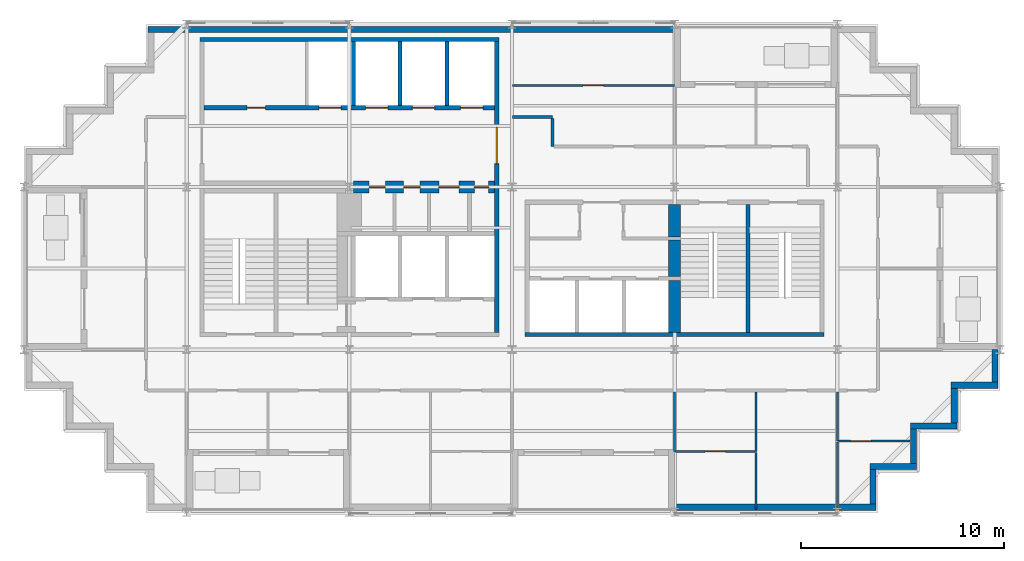
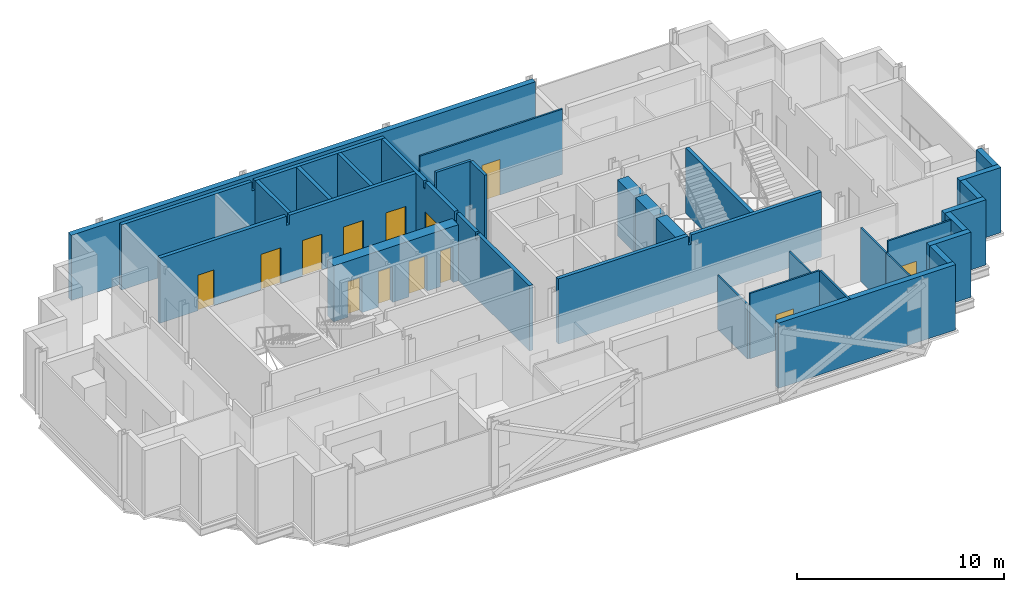
# One storey, part 6 of 10: 31 walls, 13 doors, 13 openings.
"""IFC4 building model written with IfcOpenShell, lengths in metres."""

from ifc_helpers import new_model, si_unit, direction, frame, frame_2d, origin, place, context, subcontext, project, spatial, polyline, rectangle, outline, extrude, material, layer, layer_set, type_object, element, fill, save


model = new_model("IFC4")

# Units and contexts
model_context = context("Model", 3, precision=1e-05, world=origin(), true_north=direction((0.0, 1.0)))
body_context = subcontext(model_context, "Body", "Model", "MODEL_VIEW")
ifc_project = project(units=[si_unit("LENGTHUNIT", "METRE"), si_unit("AREAUNIT", "SQUARE_METRE"), si_unit("VOLUMEUNIT", "CUBIC_METRE"), si_unit("PLANEANGLEUNIT", "RADIAN"), si_unit("MASSUNIT", "GRAM", prefix="KILO")], contexts=[model_context])

# Site, building, storey
site_placement = place(None, origin())
site = spatial("IfcSite", under=ifc_project, at=site_placement, CompositionType="ELEMENT")
building_placement = place(site_placement, origin())
building = spatial("IfcBuilding", under=site, at=building_placement, Name="Immortelle Media Tower", CompositionType="ELEMENT")
storey_placement = place(building_placement, frame((0.0, 0.0, 229.0)))
storey = spatial("IfcBuildingStorey", under=building, at=storey_placement, Name="L49", CompositionType="ELEMENT", Elevation=229.0)

# Wall, openings, doors
ifc_material_1 = material(Name="Fire-rated masonry blockwork", Category="masonry")
ifc_layer_1 = layer(ifc_material_1, 0.60009765625)
ifc_layer_set_1 = layer_set([ifc_layer_1], Name="Fire-rated masonry blockwork")
wall_type_1 = type_object("IfcWallType", Name="Core grid-line wall 600", PredefinedType="PARTITIONING", material=ifc_layer_set_1)
wall_1_placement = place(storey_placement, frame((16.196533203125, 16.0, 0.0), z_axis=(0.0, 0.0, 1.0), x_axis=(1.0, 0.0, 0.0)))
wall_1 = element("IfcWall", 1, at=wall_1_placement, inside=storey, type_object=wall_type_1, Name="Core grid-line wall SW", PredefinedType="PARTITIONING", context=body_context, shape_type="SweptSolid", body=[
    extrude(rectangle(XDim=6.953369140625, YDim=0.60009765625, at=frame_2d((3.4765625, 0.0))), origin(), (0.0, 0.0, 1.0), 3.30810546875),
])
opening_1_placement = place(wall_1_placement, frame((1.57861328125, 0.0, 0.0), z_axis=(0.0, 0.0, 1.0), x_axis=(-1.0, 0.0, 0.0)))
opening_1 = element("IfcOpeningElement", 2, at=opening_1_placement, cuts=wall_1, Name="Opening O5-K009", PredefinedType="OPENING", context=body_context, shape_type="SweptSolid", body=[
    extrude(rectangle(XDim=0.800048828125, YDim=2.10009765625, at=frame_2d((0.39990234375, 1.050048828125))), frame((0.0, 0.31005859375, 0.0), z_axis=(0.0, -1.0, 0.0), x_axis=(1.0, 0.0, 0.0)), (0.0, 0.0, 1.0), 0.6201171875),
])
opening_2_placement = place(wall_1_placement, frame((3.278564453125, 0.0, 0.0), z_axis=(0.0, 0.0, 1.0), x_axis=(-1.0, 0.0, 0.0)))
opening_2 = element("IfcOpeningElement", 3, at=opening_2_placement, cuts=wall_1, Name="Opening O5-K010", PredefinedType="OPENING", context=body_context, shape_type="SweptSolid", body=[
    extrude(rectangle(XDim=0.800048828125, YDim=2.10009765625, at=frame_2d((0.39990234375, 1.050048828125))), frame((0.0, 0.31005859375, 0.0), z_axis=(0.0, -1.0, 0.0), x_axis=(1.0, 0.0, 0.0)), (0.0, 0.0, 1.0), 0.6201171875),
])
opening_3_placement = place(wall_1_placement, frame((5.20361328125, 0.0, 0.0), z_axis=(0.0, 0.0, 1.0), x_axis=(-1.0, 0.0, 0.0)))
opening_3 = element("IfcOpeningElement", 4, at=opening_3_placement, cuts=wall_1, Name="Opening O5-K014", PredefinedType="OPENING", context=body_context, shape_type="SweptSolid", body=[
    extrude(rectangle(XDim=1.0, YDim=2.10009765625, at=frame_2d((0.5, 1.050048828125))), frame((0.0, 0.31005859375, 0.0), z_axis=(0.0, -1.0, 0.0), x_axis=(1.0, 0.0, 0.0)), (0.0, 0.0, 1.0), 0.6201171875),
])
opening_4_placement = place(wall_1_placement, frame((6.653564453125, 0.0, 0.0), z_axis=(0.0, 0.0, 1.0), x_axis=(-1.0, 0.0, 0.0)))
opening_4 = element("IfcOpeningElement", 5, at=opening_4_placement, cuts=wall_1, Name="Opening O5-K017", PredefinedType="OPENING", context=body_context, shape_type="SweptSolid", body=[
    extrude(rectangle(XDim=0.699951171875, YDim=2.10009765625, at=frame_2d((0.35009765625, 1.050048828125))), frame((0.0, 0.31005859375, 0.0), z_axis=(0.0, -1.0, 0.0), x_axis=(1.0, 0.0, 0.0)), (0.0, 0.0, 1.0), 0.6201171875),
])
ifc_material_2 = material(Name="Timber", Category="wood")
door_type_1 = type_object("IfcDoorType", Name="Accessible toilet door 1000 x 2100", OperationType="NOTDEFINED", PredefinedType="NOTDEFINED", material=ifc_material_2)
door_1_placement = place(opening_3_placement, origin())
door_1 = element("IfcDoor", 6, at=door_1_placement, inside=storey, type_object=door_type_1, Name="Accessible toilet O5-K014", OperationType="SINGLE_SWING_RIGHT", OverallHeight=2.10009765625, OverallWidth=1.0, PredefinedType="NOTDEFINED", context=body_context, shape_type="SweptSolid", body=[
    extrude(rectangle(XDim=1.0, YDim=2.10009765625, at=frame_2d((0.5, 1.050048828125))), frame((0.0, 0.02490234375, 0.0), z_axis=(0.0, -1.0, 0.0), x_axis=(1.0, 0.0, 0.0)), (0.0, 0.0, 1.0), 0.050048828125),
])
fill(opening_3, door_1)
ifc_material_3 = material(Name="Galvanised steel door leaf and frame ASTM A653", Category="steel")
door_type_2 = type_object("IfcDoorType", Name="Service door 700 x 2100", OperationType="NOTDEFINED", PredefinedType="NOTDEFINED", material=ifc_material_3)
door_2_placement = place(opening_4_placement, origin())
door_2 = element("IfcDoor", 7, at=door_2_placement, inside=storey, type_object=door_type_2, Name="Service O5-K017", OperationType="SINGLE_SWING_LEFT", OverallHeight=2.10009765625, OverallWidth=0.699951171875, PredefinedType="NOTDEFINED", context=body_context, shape_type="SweptSolid", body=[
    extrude(rectangle(XDim=0.699951171875, YDim=2.10009765625, at=frame_2d((0.35009765625, 1.050048828125))), frame((0.0, 0.02490234375, 0.0), z_axis=(0.0, -1.0, 0.0), x_axis=(1.0, 0.0, 0.0)), (0.0, 0.0, 1.0), 0.050048828125),
])
fill(opening_4, door_2)
door_type_3 = type_object("IfcDoorType", Name="Toilet door 800 x 2100", OperationType="NOTDEFINED", PredefinedType="NOTDEFINED", material=ifc_material_2)
door_3_placement = place(opening_1_placement, origin())
door_3 = element("IfcDoor", 8, at=door_3_placement, inside=storey, type_object=door_type_3, Name="Toilet O5-K009", OperationType="SINGLE_SWING_LEFT", OverallHeight=2.10009765625, OverallWidth=0.800048828125, PredefinedType="NOTDEFINED", context=body_context, shape_type="SweptSolid", body=[
    extrude(rectangle(XDim=0.800048828125, YDim=2.10009765625, at=frame_2d((0.39990234375, 1.050048828125))), frame((0.0, 0.02490234375, 0.0), z_axis=(0.0, -1.0, 0.0), x_axis=(1.0, 0.0, 0.0)), (0.0, 0.0, 1.0), 0.050048828125),
])
fill(opening_1, door_3)
door_4_placement = place(opening_2_placement, origin())
door_4 = element("IfcDoor", 9, at=door_4_placement, inside=storey, type_object=door_type_3, Name="Toilet O5-K010", OperationType="SINGLE_SWING_RIGHT", OverallHeight=2.10009765625, OverallWidth=0.800048828125, PredefinedType="NOTDEFINED", context=body_context, shape_type="SweptSolid", body=[
    extrude(rectangle(XDim=0.800048828125, YDim=2.10009765625, at=frame_2d((0.39990234375, 1.050048828125))), frame((0.0, 0.02490234375, 0.0), z_axis=(0.0, -1.0, 0.0), x_axis=(1.0, 0.0, 0.0)), (0.0, 0.0, 1.0), 0.050048828125),
])
fill(opening_2, door_4)

# Wall
ifc_material_4 = material(Name="Fire-rated gypsum board", Category="gypsum")
ifc_layer_2 = layer(ifc_material_4, 0.03759765625)
ifc_material_5 = material(Name="Steel ASTM A653 SS Gr 50 stud frame with mineral wool", Category="steel")
ifc_layer_3 = layer(ifc_material_5, 0.125)
ifc_layer_4 = layer(ifc_material_4, 0.03759765625)
ifc_layer_set_2 = layer_set([ifc_layer_2, ifc_layer_3, ifc_layer_4], Name="Steel ASTM A653 SS Gr 50 stud frame with mineral wool")
wall_type_2 = type_object("IfcWallType", Name="Core shaft wall 200", PredefinedType="PARTITIONING", material=ifc_layer_set_2)
wall_2_placement = place(storey_placement, frame((8.64990234375, 23.25, 0.0), z_axis=(0.0, 0.0, 1.0), x_axis=(1.0, 0.0, 0.0)))
element("IfcWall", 10, at=wall_2_placement, inside=storey, type_object=wall_type_2, Name="Core shaft wall SW", PredefinedType="PARTITIONING", context=body_context, shape_type="SweptSolid", body=[
    extrude(outline(polyline([(0.0, 0.0), (14.7001953125, 0.0), (14.699951171875, 3.85009765625), (7.4384765625, 3.85009765625), (7.4375, 3.30810546875), (7.262451171875, 3.30810546875), (7.261474609375, 3.85009765625), (0.0, 3.85009765625), (0.0, 0.0)])), frame((0.0, 0.10009765625, 0.0), z_axis=(0.0, -1.0, 0.0), x_axis=(1.0, 0.0, 0.0)), (0.0, 0.0, 1.0), 0.199951171875),
])

# Wall, openings, doors
wall_3_placement = place(storey_placement, frame((8.85009765625, 19.89990234375, 0.0), z_axis=(0.0, 0.0, 1.0), x_axis=(1.0, 0.0, 0.0)))
wall_3 = element("IfcWall", 11, at=wall_3_placement, inside=storey, type_object=wall_type_2, Name="Core shaft wall SW", PredefinedType="PARTITIONING", context=body_context, shape_type="SweptSolid", body=[
    extrude(outline(polyline([(0.0, 0.0), (14.2998046875, 0.0), (14.300048828125, 3.85009765625), (7.238525390625, 3.85009765625), (7.237548828125, 3.30810546875), (7.0625, 3.30810546875), (7.0615234375, 3.85009765625), (0.0, 3.85009765625), (0.0, 0.0)])), frame((0.0, 0.10009765625, 0.0), z_axis=(0.0, -1.0, 0.0), x_axis=(1.0, 0.0, 0.0)), (0.0, 0.0, 1.0), 0.199951171875),
])
opening_5_placement = place(wall_3_placement, frame((2.125, 0.0, 0.0)))
opening_5 = element("IfcOpeningElement", 12, at=opening_5_placement, cuts=wall_3, Name="Opening O5-K003", PredefinedType="OPENING", context=body_context, shape_type="SweptSolid", body=[
    extrude(rectangle(XDim=0.89990234375, YDim=2.10009765625, at=frame_2d((0.449951171875, 1.050048828125))), frame((0.0, 0.10986328125, 0.0), z_axis=(0.0, -1.0, 0.0), x_axis=(1.0, 0.0, 0.0)), (0.0, 0.0, 1.0), 0.219970703125),
])
opening_6_placement = place(wall_3_placement, frame((5.64990234375, 0.0, 0.0)))
opening_6 = element("IfcOpeningElement", 13, at=opening_6_placement, cuts=wall_3, Name="Opening LD", PredefinedType="OPENING", context=body_context, shape_type="SweptSolid", body=[
    extrude(rectangle(XDim=1.10009765625, YDim=2.10009765625, at=frame_2d((0.550048828125, 1.050048828125))), frame((0.0, 0.10986328125, 0.0), z_axis=(0.0, -1.0, 0.0), x_axis=(1.0, 0.0, 0.0)), (0.0, 0.0, 1.0), 0.219970703125),
])
opening_7_placement = place(wall_3_placement, frame((7.949951171875, 0.0, 0.0)))
opening_7 = element("IfcOpeningElement", 14, at=opening_7_placement, cuts=wall_3, Name="Opening LD", PredefinedType="OPENING", context=body_context, shape_type="SweptSolid", body=[
    extrude(rectangle(XDim=1.10009765625, YDim=2.10009765625, at=frame_2d((0.550048828125, 1.050048828125))), frame((0.0, 0.10986328125, 0.0), z_axis=(0.0, -1.0, 0.0), x_axis=(1.0, 0.0, 0.0)), (0.0, 0.0, 1.0), 0.219970703125),
])
opening_8_placement = place(wall_3_placement, frame((10.25, 0.0, 0.0)))
opening_8 = element("IfcOpeningElement", 15, at=opening_8_placement, cuts=wall_3, Name="Opening LD", PredefinedType="OPENING", context=body_context, shape_type="SweptSolid", body=[
    extrude(rectangle(XDim=1.10009765625, YDim=2.10009765625, at=frame_2d((0.550048828125, 1.050048828125))), frame((0.0, 0.10986328125, 0.0), z_axis=(0.0, -1.0, 0.0), x_axis=(1.0, 0.0, 0.0)), (0.0, 0.0, 1.0), 0.219970703125),
])
opening_9_placement = place(wall_3_placement, frame((12.625, 0.0, 0.0)))
opening_9 = element("IfcOpeningElement", 16, at=opening_9_placement, cuts=wall_3, Name="Opening LD", PredefinedType="OPENING", context=body_context, shape_type="SweptSolid", body=[
    extrude(rectangle(XDim=1.10009765625, YDim=2.10009765625, at=frame_2d((0.550048828125, 1.050048828125))), frame((0.0, 0.10986328125, 0.0), z_axis=(0.0, -1.0, 0.0), x_axis=(1.0, 0.0, 0.0)), (0.0, 0.0, 1.0), 0.219970703125),
])
ifc_material_6 = material(Name="Stainless steel AISI 304", Category="steel")
door_type_4 = type_object("IfcDoorType", Name="Landing door 1100 x 2100", OperationType="SLIDING_TO_LEFT", PredefinedType="NOTDEFINED", material=ifc_material_6)
door_5_placement = place(opening_6_placement, origin())
door_5 = element("IfcDoor", 17, at=door_5_placement, inside=storey, type_object=door_type_4, Name="Landing door HR1 L49", OperationType="SLIDING_TO_LEFT", OverallHeight=2.10009765625, OverallWidth=1.10009765625, PredefinedType="NOTDEFINED", context=body_context, shape_type="SweptSolid", body=[
    extrude(rectangle(XDim=1.10009765625, YDim=2.10009765625, at=frame_2d((0.550048828125, 1.050048828125))), frame((0.0, 0.02490234375, 0.0), z_axis=(0.0, -1.0, 0.0), x_axis=(1.0, 0.0, 0.0)), (0.0, 0.0, 1.0), 0.050048828125),
])
fill(opening_6, door_5)
door_6_placement = place(opening_7_placement, origin())
door_6 = element("IfcDoor", 18, at=door_6_placement, inside=storey, type_object=door_type_4, Name="Landing door HR2 L49", OperationType="SLIDING_TO_LEFT", OverallHeight=2.10009765625, OverallWidth=1.10009765625, PredefinedType="NOTDEFINED", context=body_context, shape_type="SweptSolid", body=[
    extrude(rectangle(XDim=1.10009765625, YDim=2.10009765625, at=frame_2d((0.550048828125, 1.050048828125))), frame((0.0, 0.02490234375, 0.0), z_axis=(0.0, -1.0, 0.0), x_axis=(1.0, 0.0, 0.0)), (0.0, 0.0, 1.0), 0.050048828125),
])
fill(opening_7, door_6)
door_7_placement = place(opening_8_placement, origin())
door_7 = element("IfcDoor", 19, at=door_7_placement, inside=storey, type_object=door_type_4, Name="Landing door HR3 L49", OperationType="SLIDING_TO_LEFT", OverallHeight=2.10009765625, OverallWidth=1.10009765625, PredefinedType="NOTDEFINED", context=body_context, shape_type="SweptSolid", body=[
    extrude(rectangle(XDim=1.10009765625, YDim=2.10009765625, at=frame_2d((0.550048828125, 1.050048828125))), frame((0.0, 0.02490234375, 0.0), z_axis=(0.0, -1.0, 0.0), x_axis=(1.0, 0.0, 0.0)), (0.0, 0.0, 1.0), 0.050048828125),
])
fill(opening_8, door_7)
door_8_placement = place(opening_9_placement, origin())
door_8 = element("IfcDoor", 20, at=door_8_placement, inside=storey, type_object=door_type_4, Name="Landing door HR4 L49", OperationType="SLIDING_TO_LEFT", OverallHeight=2.10009765625, OverallWidth=1.10009765625, PredefinedType="NOTDEFINED", context=body_context, shape_type="SweptSolid", body=[
    extrude(rectangle(XDim=1.10009765625, YDim=2.10009765625, at=frame_2d((0.550048828125, 1.050048828125))), frame((0.0, 0.02490234375, 0.0), z_axis=(0.0, -1.0, 0.0), x_axis=(1.0, 0.0, 0.0)), (0.0, 0.0, 1.0), 0.050048828125),
])
fill(opening_9, door_8)
door_type_5 = type_object("IfcDoorType", Name="Room door 900 x 2100", OperationType="NOTDEFINED", PredefinedType="NOTDEFINED", material=ifc_material_2)
door_9_placement = place(opening_5_placement, origin())
door_9 = element("IfcDoor", 21, at=door_9_placement, inside=storey, type_object=door_type_5, Name="Room O5-K003", OperationType="SINGLE_SWING_LEFT", OverallHeight=2.10009765625, OverallWidth=0.89990234375, PredefinedType="NOTDEFINED", context=body_context, shape_type="SweptSolid", body=[
    extrude(rectangle(XDim=0.89990234375, YDim=2.10009765625, at=frame_2d((0.449951171875, 1.050048828125))), frame((0.0, 0.02490234375, 0.0), z_axis=(0.0, -1.0, 0.0), x_axis=(1.0, 0.0, 0.0)), (0.0, 0.0, 1.0), 0.050048828125),
])
fill(opening_5, door_9)

# Walls
for number, where, z_axis, x_axis, name in (
    (22, (16.199951171875, 20.0, 0.0), (0.0, 0.0, 1.0), (0.0, 1.0, 0.0), "Core shaft wall SW"),
    (23, (18.5, 20.0, 0.0), (0.0, 0.0, 1.0), (0.0, 1.0, 0.0), "Core shaft wall SW"),
    (24, (20.800048828125, 20.0, 0.0), (0.0, 0.0, 1.0), (0.0, 1.0, 0.0), "Core shaft wall SW"),
):
    element("IfcWall", number, at=place(storey_placement, frame(where, z_axis=z_axis, x_axis=x_axis)), inside=storey, type_object=wall_type_2, Name=name, PredefinedType="PARTITIONING", context=body_context, shape_type="SweptSolid", body=[
        extrude(rectangle(XDim=3.14990234375, YDim=0.199951171875, at=frame_2d((1.574951171875, 0.0))), origin(), (0.0, 0.0, 1.0), 3.85009765625),
    ])

# Wall, opening, door
wall_4_placement = place(storey_placement, frame((23.25, 8.85009765625, 0.0), z_axis=(0.0, 0.0, 1.0), x_axis=(0.0, 1.0, 0.0)))
wall_4 = element("IfcWall", 25, at=wall_4_placement, inside=storey, type_object=wall_type_2, Name="Core shaft wall SW", PredefinedType="PARTITIONING", context=body_context, shape_type="SweptSolid", body=[
    extrude(outline(polyline([(0.0, 0.0), (14.2998046875, 0.0), (14.300048828125, 3.85009765625), (10.22509765625, 3.85009765625), (10.22412109375, 3.43994140625), (10.075927734375, 3.43994140625), (10.074951171875, 3.85009765625), (7.238525390625, 3.85009765625), (7.237548828125, 3.30810546875), (7.0625, 3.30810546875), (7.0615234375, 3.85009765625), (5.22509765625, 3.85009765625), (5.22412109375, 3.43994140625), (5.075927734375, 3.43994140625), (5.074951171875, 3.85009765625), (0.0, 3.85009765625), (0.0, 0.0)])), frame((0.0, 0.10009765625, 0.0), z_axis=(0.0, -1.0, 0.0), x_axis=(1.0, 0.0, 0.0)), (0.0, 0.0, 1.0), 0.199951171875),
])
opening_10_placement = place(wall_4_placement, frame((8.300048828125, 0.0, 0.0)))
opening_10 = element("IfcOpeningElement", 26, at=opening_10_placement, cuts=wall_4, Name="Opening O5-K018", PredefinedType="OPENING", context=body_context, shape_type="SweptSolid", body=[
    extrude(rectangle(XDim=1.800048828125, YDim=2.10009765625, at=frame_2d((0.89990234375, 1.050048828125))), frame((0.0, 0.10986328125, 0.0), z_axis=(0.0, -1.0, 0.0), x_axis=(1.0, 0.0, 0.0)), (0.0, 0.0, 1.0), 0.219970703125),
])
door_type_6 = type_object("IfcDoorType", Name="Lift lobby door 1800 x 2100", OperationType="DOUBLE_DOOR_SINGLE_SWING", PredefinedType="NOTDEFINED", material=ifc_material_3)
door_10_placement = place(opening_10_placement, origin())
door_10 = element("IfcDoor", 27, at=door_10_placement, inside=storey, type_object=door_type_6, Name="Lift lobby O5-K018", OperationType="DOUBLE_DOOR_SINGLE_SWING", OverallHeight=2.10009765625, OverallWidth=1.800048828125, PredefinedType="NOTDEFINED", context=body_context, shape_type="SweptSolid", body=[
    extrude(rectangle(XDim=1.800048828125, YDim=2.10009765625, at=frame_2d((0.89990234375, 1.050048828125))), frame((0.0, 0.02490234375, 0.0), z_axis=(0.0, -1.0, 0.0), x_axis=(1.0, 0.0, 0.0)), (0.0, 0.0, 1.0), 0.050048828125),
])
fill(opening_10, door_10)

# Walls
ifc_layer_5 = layer(ifc_material_4, 0.012451171875)
ifc_layer_6 = layer(ifc_material_5, 0.125)
ifc_layer_7 = layer(ifc_material_4, 0.012451171875)
ifc_layer_set_3 = layer_set([ifc_layer_5, ifc_layer_6, ifc_layer_7], Name="Steel ASTM A653 SS Gr 50 stud frame with mineral wool")
wall_type_3 = type_object("IfcWallType", Name="Corridor wall 150", PredefinedType="PARTITIONING", material=ifc_layer_set_3)
wall_5_placement = place(storey_placement, frame((26.0, 18.0, 0.0), z_axis=(0.0, 0.0, 1.0), x_axis=(0.0, 1.0, 0.0)))
element("IfcWall", 28, at=wall_5_placement, inside=storey, type_object=wall_type_3, Name="Partition L49-026", PredefinedType="PARTITIONING", context=body_context, shape_type="SweptSolid", body=[
    extrude(rectangle(XDim=1.375, YDim=0.14990234375, at=frame_2d((0.6875, 0.0))), origin(), (0.0, 0.0, 1.0), 3.85009765625),
])
wall_6_placement = place(storey_placement, frame((24.030029296875, 19.449951171875, 0.0), z_axis=(0.0, 0.0, 1.0), x_axis=(1.0, 0.0, 0.0)))
element("IfcWall", 29, at=wall_6_placement, inside=storey, type_object=wall_type_3, Name="Partition L49-032", PredefinedType="PARTITIONING", context=body_context, shape_type="SweptSolid", body=[
    extrude(rectangle(XDim=1.969970703125, YDim=0.14990234375, at=frame_2d((0.98486328125, 0.0))), origin(), (0.0, 0.0, 1.0), 3.85009765625),
])
ifc_material_7 = material(Name="Pale aluminium cladding panel", Category="aluminium")
ifc_layer_8 = layer(ifc_material_7, 0.030029296875)
ifc_layer_9 = layer(ifc_material_5, 0.257568359375)
ifc_material_8 = material(Name="Moisture-resistant gypsum board", Category="gypsum")
ifc_layer_10 = layer(ifc_material_8, 0.012451171875)
ifc_layer_set_4 = layer_set([ifc_layer_8, ifc_layer_9, ifc_layer_10], Name="Steel ASTM A653 SS Gr 50 stud frame with mineral wool")
wall_type_4 = type_object("IfcWallType", Name="Facade wall 300", PredefinedType="SOLIDWALL", material=ifc_layer_set_4)
wall_7_placement = place(storey_placement, frame((32.0, 0.25, 0.0), z_axis=(0.0, 0.0, 1.0), x_axis=(1.0, 0.0, 0.0)))
element("IfcWall", 30, at=wall_7_placement, inside=storey, type_object=wall_type_4, Name="Facade wall L49 S6", PredefinedType="SOLIDWALL", context=body_context, shape_type="SweptSolid", body=[
    extrude(rectangle(XDim=9.89990234375, YDim=0.300048828125, at=frame_2d((4.949951171875, 0.0))), origin(), (0.0, 0.0, 1.0), 3.85009765625),
])
wall_8_placement = place(storey_placement, frame((41.75, 0.39990234375, 0.0), z_axis=(0.0, 0.0, 1.0), x_axis=(0.0, 1.0, 0.0)))
element("IfcWall", 31, at=wall_8_placement, inside=storey, type_object=wall_type_4, Name="Facade wall L49 E7", PredefinedType="SOLIDWALL", context=body_context, shape_type="SweptSolid", body=[
    extrude(rectangle(XDim=1.7001953125, YDim=0.300048828125, at=frame_2d((0.85009765625, 0.0))), origin(), (0.0, 0.0, 1.0), 3.85009765625),
])
wall_9_placement = place(storey_placement, frame((41.60009765625, 2.25, 0.0), z_axis=(0.0, 0.0, 1.0), x_axis=(1.0, 0.0, 0.0)))
element("IfcWall", 32, at=wall_9_placement, inside=storey, type_object=wall_type_4, Name="Facade wall L49 S8", PredefinedType="SOLIDWALL", context=body_context, shape_type="SweptSolid", body=[
    extrude(rectangle(XDim=2.2998046875, YDim=0.300048828125, at=frame_2d((1.14990234375, 0.0))), origin(), (0.0, 0.0, 1.0), 3.85009765625),
])
wall_10_placement = place(storey_placement, frame((43.75, 2.39990234375, 0.0), z_axis=(0.0, 0.0, 1.0), x_axis=(0.0, 1.0, 0.0)))
element("IfcWall", 33, at=wall_10_placement, inside=storey, type_object=wall_type_4, Name="Facade wall L49 E9", PredefinedType="SOLIDWALL", context=body_context, shape_type="SweptSolid", body=[
    extrude(rectangle(XDim=1.7001953125, YDim=0.300048828125, at=frame_2d((0.85009765625, 0.0))), origin(), (0.0, 0.0, 1.0), 3.85009765625),
])
wall_11_placement = place(storey_placement, frame((43.60009765625, 4.25, 0.0), z_axis=(0.0, 0.0, 1.0), x_axis=(1.0, 0.0, 0.0)))
element("IfcWall", 34, at=wall_11_placement, inside=storey, type_object=wall_type_4, Name="Facade wall L49 S10", PredefinedType="SOLIDWALL", context=body_context, shape_type="SweptSolid", body=[
    extrude(rectangle(XDim=2.2998046875, YDim=0.300048828125, at=frame_2d((1.14990234375, 0.0))), origin(), (0.0, 0.0, 1.0), 3.85009765625),
])
wall_12_placement = place(storey_placement, frame((45.75, 4.39990234375, 0.0), z_axis=(0.0, 0.0, 1.0), x_axis=(0.0, 1.0, 0.0)))
element("IfcWall", 35, at=wall_12_placement, inside=storey, type_object=wall_type_4, Name="Facade wall L49 E11", PredefinedType="SOLIDWALL", context=body_context, shape_type="SweptSolid", body=[
    extrude(rectangle(XDim=1.7001953125, YDim=0.300048828125, at=frame_2d((0.85009765625, 0.0))), origin(), (0.0, 0.0, 1.0), 3.85009765625),
])
wall_13_placement = place(storey_placement, frame((45.60009765625, 6.25, 0.0), z_axis=(0.0, 0.0, 1.0), x_axis=(1.0, 0.0, 0.0)))
element("IfcWall", 36, at=wall_13_placement, inside=storey, type_object=wall_type_4, Name="Facade wall L49 S12", PredefinedType="SOLIDWALL", context=body_context, shape_type="SweptSolid", body=[
    extrude(rectangle(XDim=2.2998046875, YDim=0.300048828125, at=frame_2d((1.14990234375, 0.0))), origin(), (0.0, 0.0, 1.0), 3.85009765625),
])
wall_14_placement = place(storey_placement, frame((47.75, 6.39990234375, 0.0), z_axis=(0.0, 0.0, 1.0), x_axis=(0.0, 1.0, 0.0)))
element("IfcWall", 37, at=wall_14_placement, inside=storey, type_object=wall_type_4, Name="Facade wall L49 E13", PredefinedType="SOLIDWALL", context=body_context, shape_type="SweptSolid", body=[
    extrude(rectangle(XDim=1.60009765625, YDim=0.300048828125, at=frame_2d((0.800048828125, 0.0))), origin(), (0.0, 0.0, 1.0), 3.85009765625),
])
wall_15_placement = place(storey_placement, frame((32.0, 23.75, 0.0), z_axis=(0.0, 0.0, 1.0), x_axis=(-1.0, 0.0, 0.0)))
element("IfcWall", 38, at=wall_15_placement, inside=storey, type_object=wall_type_4, Name="Facade wall L49 N20", PredefinedType="SOLIDWALL", context=body_context, shape_type="SweptSolid", body=[
    extrude(rectangle(XDim=25.89990234375, YDim=0.300048828125, at=frame_2d((12.949951171875, 0.0))), origin(), (0.0, 0.0, 1.0), 3.85009765625),
])
ifc_material_9 = material(Name="Gypsum board", Category="gypsum")
ifc_layer_11 = layer(ifc_material_9, 0.012451171875)
ifc_layer_12 = layer(ifc_material_5, 0.074951171875)
ifc_layer_13 = layer(ifc_material_9, 0.012451171875)
ifc_layer_set_5 = layer_set([ifc_layer_11, ifc_layer_12, ifc_layer_13], Name="Steel ASTM A653 SS Gr 50 stud frame with mineral wool")
wall_type_5 = type_object("IfcWallType", Name="Partition 100", PredefinedType="PARTITIONING", material=ifc_layer_set_5)
wall_16_placement = place(storey_placement, frame((36.0, 0.1298828125, 0.0), z_axis=(0.0, 0.0, 1.0), x_axis=(0.0, 1.0, 0.0)))
element("IfcWall", 39, at=wall_16_placement, inside=storey, type_object=wall_type_5, Name="Partition L49-002", PredefinedType="PARTITIONING", context=body_context, shape_type="SweptSolid", body=[
    extrude(rectangle(XDim=2.820068359375, YDim=0.10009765625, at=frame_2d((1.41015625, 0.0))), origin(), (0.0, 0.0, 1.0), 3.85009765625),
])
wall_17_placement = place(storey_placement, frame((40.0, 0.1298828125, 0.0), z_axis=(0.0, 0.0, 1.0), x_axis=(0.0, 1.0, 0.0)))
element("IfcWall", 40, at=wall_17_placement, inside=storey, type_object=wall_type_5, Name="Partition L49-003", PredefinedType="PARTITIONING", context=body_context, shape_type="SweptSolid", body=[
    extrude(rectangle(XDim=3.320068359375, YDim=0.10009765625, at=frame_2d((1.66015625, 0.0))), origin(), (0.0, 0.0, 1.0), 3.172119140625),
])

# Wall, opening, door
wall_18_placement = place(storey_placement, frame((32.050048828125, 3.0, 0.0), z_axis=(0.0, 0.0, 1.0), x_axis=(1.0, 0.0, 0.0)))
wall_18 = element("IfcWall", 41, at=wall_18_placement, inside=storey, type_object=wall_type_5, Name="Partition L49-010", PredefinedType="PARTITIONING", context=body_context, shape_type="SweptSolid", body=[
    extrude(rectangle(XDim=3.89990234375, YDim=0.10009765625, at=frame_2d((1.949951171875, 0.0))), origin(), (0.0, 0.0, 1.0), 3.85009765625),
])
opening_11_placement = place(wall_18_placement, frame((2.449951171875, 0.0, 0.0), z_axis=(0.0, 0.0, 1.0), x_axis=(-1.0, 0.0, 0.0)))
opening_11 = element("IfcOpeningElement", 42, at=opening_11_placement, cuts=wall_18, Name="Opening O5-F005", PredefinedType="OPENING", context=body_context, shape_type="SweptSolid", body=[
    extrude(rectangle(XDim=1.0, YDim=2.10009765625, at=frame_2d((0.5, 1.050048828125))), frame((0.0, 0.06005859375, 0.0), z_axis=(0.0, -1.0, 0.0), x_axis=(1.0, 0.0, 0.0)), (0.0, 0.0, 1.0), 0.1201171875),
])
ifc_material_10 = material(Name="Timber veneered door leaf, galvanised steel frame ASTM A653", Category="steel")
door_type_7 = type_object("IfcDoorType", Name="Room door 1000 x 2100", OperationType="NOTDEFINED", PredefinedType="DOOR", material=ifc_material_10)
door_11_placement = place(opening_11_placement, origin())
door_11 = element("IfcDoor", 43, at=door_11_placement, inside=storey, type_object=door_type_7, Name="Door O5-F005", OperationType="SINGLE_SWING_RIGHT", OverallHeight=2.10009765625, OverallWidth=1.0, PredefinedType="DOOR", context=body_context, shape_type="SweptSolid", body=[
    extrude(rectangle(XDim=1.0, YDim=2.10009765625, at=frame_2d((0.5, 1.050048828125))), frame((0.0, 0.02490234375, 0.0), z_axis=(0.0, -1.0, 0.0), x_axis=(1.0, 0.0, 0.0)), (0.0, 0.0, 1.0), 0.050048828125),
])
fill(opening_11, door_11)

# Walls
for number, where, z_axis, x_axis, name in (
    (44, (32.0, 3.0, 0.0), (0.0, 0.0, 1.0), (0.0, 1.0, 0.0), "Partition L49-011"),
    (45, (36.0, 3.0, 0.0), (0.0, 0.0, 1.0), (0.0, 1.0, 0.0), "Partition L49-012"),
):
    element("IfcWall", number, at=place(storey_placement, frame(where, z_axis=z_axis, x_axis=x_axis)), inside=storey, type_object=wall_type_5, Name=name, PredefinedType="PARTITIONING", context=body_context, shape_type="SweptSolid", body=[
        extrude(rectangle(XDim=2.925048828125, YDim=0.10009765625, at=frame_2d((1.46240234375, 0.0))), origin(), (0.0, 0.0, 1.0), 3.172119140625),
    ])

# Wall, opening, door
wall_19_placement = place(storey_placement, frame((40.050048828125, 3.5, 0.0), z_axis=(0.0, 0.0, 1.0), x_axis=(1.0, 0.0, 0.0)))
wall_19 = element("IfcWall", 46, at=wall_19_placement, inside=storey, type_object=wall_type_5, Name="Partition L49-013", PredefinedType="PARTITIONING", context=body_context, shape_type="SweptSolid", body=[
    extrude(rectangle(XDim=3.52001953125, YDim=0.10009765625, at=frame_2d((1.760009765625, 0.0))), origin(), (0.0, 0.0, 1.0), 3.85009765625),
])
opening_12_placement = place(wall_19_placement, frame((1.60009765625, 0.0, 0.0), z_axis=(0.0, 0.0, 1.0), x_axis=(-1.0, 0.0, 0.0)))
opening_12 = element("IfcOpeningElement", 47, at=opening_12_placement, cuts=wall_19, Name="Opening O5-F012", PredefinedType="OPENING", context=body_context, shape_type="SweptSolid", body=[
    extrude(rectangle(XDim=1.0, YDim=2.10009765625, at=frame_2d((0.5, 1.050048828125))), frame((0.0, 0.06005859375, 0.0), z_axis=(0.0, -1.0, 0.0), x_axis=(1.0, 0.0, 0.0)), (0.0, 0.0, 1.0), 0.1201171875),
])
door_12_placement = place(opening_12_placement, origin())
door_12 = element("IfcDoor", 48, at=door_12_placement, inside=storey, type_object=door_type_7, Name="Door O5-F012", OperationType="SINGLE_SWING_RIGHT", OverallHeight=2.10009765625, OverallWidth=1.0, PredefinedType="DOOR", context=body_context, shape_type="SweptSolid", body=[
    extrude(rectangle(XDim=1.0, YDim=2.10009765625, at=frame_2d((0.5, 1.050048828125))), frame((0.0, 0.02490234375, 0.0), z_axis=(0.0, -1.0, 0.0), x_axis=(1.0, 0.0, 0.0)), (0.0, 0.0, 1.0), 0.050048828125),
])
fill(opening_12, door_12)

# Wall
wall_20_placement = place(storey_placement, frame((40.0, 3.5, 0.0), z_axis=(0.0, 0.0, 1.0), x_axis=(0.0, 1.0, 0.0)))
element("IfcWall", 49, at=wall_20_placement, inside=storey, type_object=wall_type_5, Name="Partition L49-014", PredefinedType="PARTITIONING", context=body_context, shape_type="SweptSolid", body=[
    extrude(rectangle(XDim=2.425048828125, YDim=0.10009765625, at=frame_2d((1.21240234375, 0.0))), origin(), (0.0, 0.0, 1.0), 3.172119140625),
])

# Wall, opening, door
wall_21_placement = place(storey_placement, frame((24.030029296875, 21.0, 0.0), z_axis=(0.0, 0.0, 1.0), x_axis=(1.0, 0.0, 0.0)))
wall_21 = element("IfcWall", 50, at=wall_21_placement, inside=storey, type_object=wall_type_5, Name="Partition L49-035", PredefinedType="PARTITIONING", context=body_context, shape_type="SweptSolid", body=[
    extrude(rectangle(XDim=7.969970703125, YDim=0.10009765625, at=frame_2d((3.98486328125, 0.0))), origin(), (0.0, 0.0, 1.0), 3.85009765625),
])
opening_13_placement = place(wall_21_placement, frame((3.469970703125, 0.0, 0.0)))
opening_13 = element("IfcOpeningElement", 51, at=opening_13_placement, cuts=wall_21, Name="Opening O5-F022", PredefinedType="OPENING", context=body_context, shape_type="SweptSolid", body=[
    extrude(rectangle(XDim=1.0, YDim=2.10009765625, at=frame_2d((0.5, 1.050048828125))), frame((0.0, 0.06005859375, 0.0), z_axis=(0.0, -1.0, 0.0), x_axis=(1.0, 0.0, 0.0)), (0.0, 0.0, 1.0), 0.1201171875),
])
door_13_placement = place(opening_13_placement, origin())
door_13 = element("IfcDoor", 52, at=door_13_placement, inside=storey, type_object=door_type_7, Name="Door O5-F022", OperationType="SINGLE_SWING_LEFT", OverallHeight=2.10009765625, OverallWidth=1.0, PredefinedType="DOOR", context=body_context, shape_type="SweptSolid", body=[
    extrude(rectangle(XDim=1.0, YDim=2.10009765625, at=frame_2d((0.5, 1.050048828125))), frame((0.0, 0.02490234375, 0.0), z_axis=(0.0, -1.0, 0.0), x_axis=(1.0, 0.0, 0.0)), (0.0, 0.0, 1.0), 0.050048828125),
])
fill(opening_13, door_13)

# Walls
ifc_material_11 = material(Name="Concrete C60", Category="concrete")
ifc_layer_14 = layer(ifc_material_11, 0.199951171875)
ifc_layer_set_6 = layer_set([ifc_layer_14], Name="Concrete C60")
wall_type_6 = type_object("IfcWallType", Name="Stair shaft wall 200", PredefinedType="PARTITIONING", material=ifc_layer_set_6)
wall_22_placement = place(storey_placement, frame((24.64990234375, 8.75, 0.0), z_axis=(0.0, 0.0, 1.0), x_axis=(1.0, 0.0, 0.0)))
element("IfcWall", 53, at=wall_22_placement, inside=storey, type_object=wall_type_6, Name="Stair shaft wall SE", PredefinedType="PARTITIONING", context=body_context, shape_type="SweptSolid", body=[
    extrude(outline(polyline([(0.0, 0.0), (14.7001953125, 0.0), (14.699951171875, 3.85009765625), (7.4384765625, 3.85009765625), (7.4375, 3.30810546875), (7.262451171875, 3.30810546875), (7.261474609375, 3.85009765625), (0.0, 3.85009765625), (0.0, 0.0)])), frame((0.0, 0.10009765625, 0.0), z_axis=(0.0, -1.0, 0.0), x_axis=(1.0, 0.0, 0.0)), (0.0, 0.0, 1.0), 0.199951171875),
])
wall_23_placement = place(storey_placement, frame((35.60009765625, 8.85009765625, 0.0), z_axis=(0.0, 0.0, 1.0), x_axis=(0.0, 1.0, 0.0)))
element("IfcWall", 54, at=wall_23_placement, inside=storey, type_object=wall_type_6, Name="Stair shaft wall SE", PredefinedType="PARTITIONING", context=body_context, shape_type="SweptSolid", body=[
    extrude(rectangle(XDim=6.2998046875, YDim=0.199951171875, at=frame_2d((3.14990234375, 0.0))), origin(), (0.0, 0.0, 1.0), 3.85009765625),
])
ifc_layer_15 = layer(ifc_material_11, 0.60009765625)
ifc_layer_set_7 = layer_set([ifc_layer_15], Name="Concrete C60")
wall_type_7 = type_object("IfcWallType", Name="Stair shaft wall 600", PredefinedType="PARTITIONING", material=ifc_layer_set_7)
wall_24_placement = place(storey_placement, frame((32.0, 8.85009765625, 0.0), z_axis=(0.0, 0.0, 1.0), x_axis=(0.0, 1.0, 0.0)))
element("IfcWall", 55, at=wall_24_placement, inside=storey, type_object=wall_type_7, Name="Stair shaft wall SE", PredefinedType="PARTITIONING", context=body_context, shape_type="SweptSolid", body=[
    extrude(rectangle(XDim=2.5498046875, YDim=0.60009765625, at=frame_2d((1.27490234375, 0.0))), origin(), (0.0, 0.0, 1.0), 3.30810546875),
])
wall_25_placement = place(storey_placement, frame((32.0, 11.60009765625, 0.0), z_axis=(0.0, 0.0, 1.0), x_axis=(0.0, 1.0, 0.0)))
element("IfcWall", 56, at=wall_25_placement, inside=storey, type_object=wall_type_7, Name="Stair shaft wall SE", PredefinedType="PARTITIONING", context=body_context, shape_type="SweptSolid", body=[
    extrude(rectangle(XDim=1.7998046875, YDim=0.60009765625, at=frame_2d((0.89990234375, 0.0))), origin(), (0.0, 0.0, 1.0), 3.30810546875),
])
wall_26_placement = place(storey_placement, frame((32.0, 13.550048828125, 0.0), z_axis=(0.0, 0.0, 1.0), x_axis=(0.0, 1.0, 0.0)))
element("IfcWall", 57, at=wall_26_placement, inside=storey, type_object=wall_type_7, Name="Stair shaft wall SE", PredefinedType="PARTITIONING", context=body_context, shape_type="SweptSolid", body=[
    extrude(rectangle(XDim=1.599853515625, YDim=0.60009765625, at=frame_2d((0.7998046875, 0.0))), origin(), (0.0, 0.0, 1.0), 3.30810546875),
])

save(model, "model.ifc")
